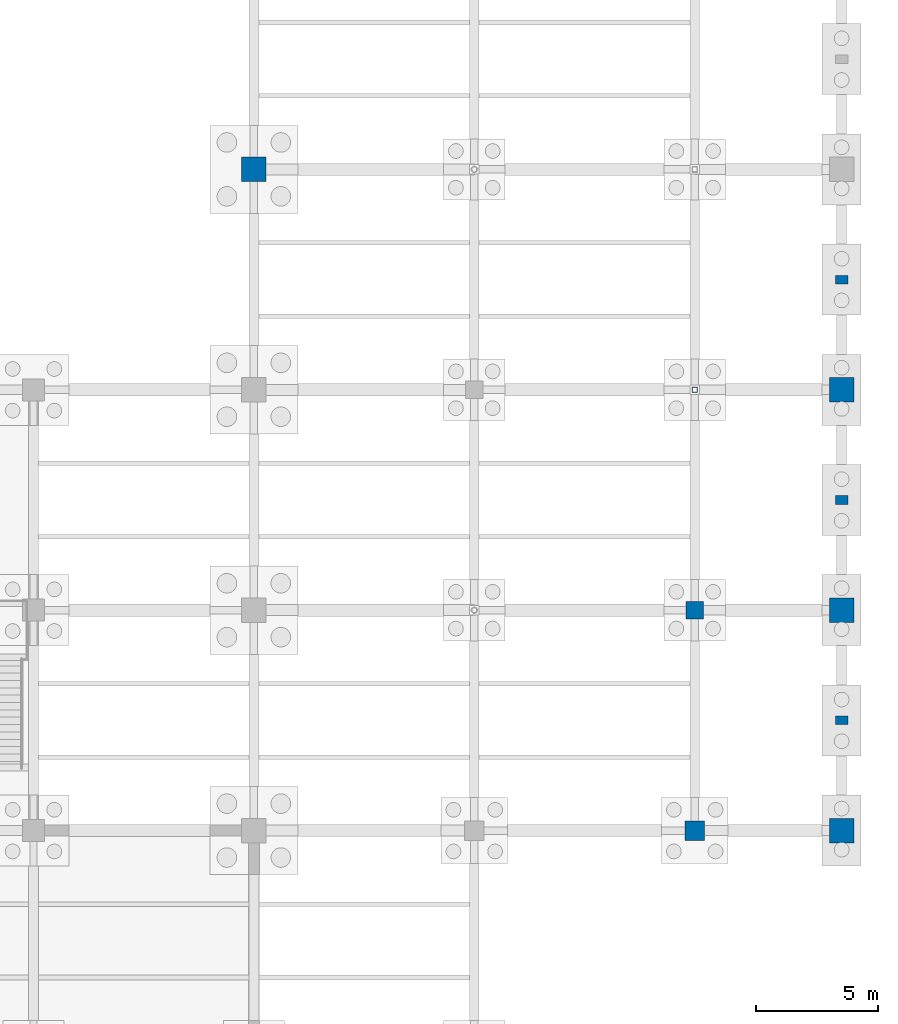
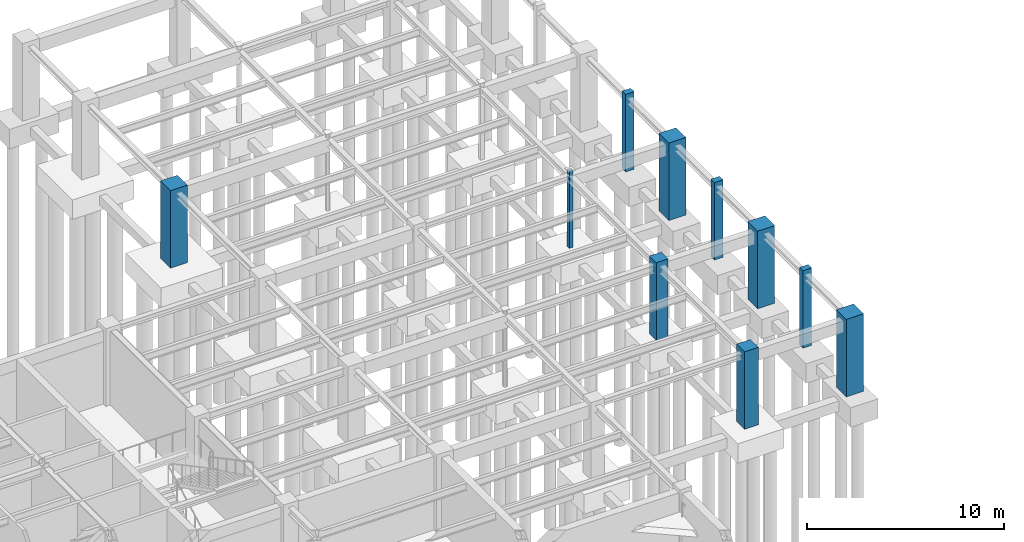
# One storey, part 31 of 49: 10 columns.
"""IFC4 building model written with IfcOpenShell, lengths in metres."""

import ifcopenshell
import ifcopenshell.guid

model = None  # the IFC model being written
_history = None  # IfcOwnerHistory: only IFC2X3 demands one
_inside = {}  # id of a spatial element -> (the spatial element, [elements in it])
_under = {}  # id of a project, library or spatial element -> (it, [spatial elements below it])
_declared = {}  # id of a project -> (the project, [libraries it declares])
_typed = {}  # id of a type object -> (the type object, [elements of that type])
_made_of = {}  # id of a material, layer set ... -> (it, [elements and type objects made of it])


def new_model(schema):
    """Start an empty IFC model of exactly this schema.

    Asked for "IFC4X3", IfcOpenShell would pick the latest addendum, in which some entities
    have other attributes; the version numbers below select the first issue.
    IFC2X3 requires an IfcOwnerHistory on every rooted entity: one is made here for all.
    """
    global model, _history
    if schema == "IFC4X3":
        model = ifcopenshell.file(schema_version=(4, 3, 0, 0))
    else:
        model = ifcopenshell.file(schema=schema)
    _inside.clear()
    _under.clear()
    _declared.clear()
    _typed.clear()
    _made_of.clear()
    _history = None
    if model.schema == "IFC2X3":
        org = make("IfcOrganization", Name="unknown")
        user = make(
            "IfcPersonAndOrganization",
            ThePerson=make("IfcPerson", FamilyName="unknown"),
            TheOrganization=org,
        )
        app = make(
            "IfcApplication",
            ApplicationDeveloper=org,
            Version="unknown",
            ApplicationFullName="unknown",
            ApplicationIdentifier="unknown",
        )
        _history = make(
            "IfcOwnerHistory",
            OwningUser=user,
            OwningApplication=app,
            ChangeAction="ADDED",
            CreationDate=0,
        )
    return model


def make(cls, **values):
    """One entity of the class cls with the attributes given. An attribute that is None is left unset."""
    return model.create_entity(
        cls, **{name: value for name, value in values.items() if value is not None}
    )


def rooted(cls, **values):
    """An entity with a GlobalId (a new one), such as an element, a storey or a relation."""
    return make(cls, GlobalId=ifcopenshell.guid.new(), OwnerHistory=_history, **values)


def si_unit(unit_type, name, prefix=None):
    """IfcSIUnit, for example si_unit("LENGTHUNIT", "METRE", prefix="MILLI")."""
    return make("IfcSIUnit", UnitType=unit_type, Prefix=prefix, Name=name)


def assignment(units):
    """IfcUnitAssignment: the units of a project."""
    return None if units is None else make("IfcUnitAssignment", Units=units)


def point(xyz):
    """IfcCartesianPoint."""
    return None if xyz is None else make("IfcCartesianPoint", Coordinates=xyz)


def direction(xyz):
    """IfcDirection."""
    return None if xyz is None else make("IfcDirection", DirectionRatios=xyz)


def frame(location, z_axis=None, x_axis=None):
    """IfcAxis2Placement3D, a coordinate frame: its origin and axes. An axis left out is left unset."""
    return make(
        "IfcAxis2Placement3D",
        Location=point(location),
        Axis=direction(z_axis),
        RefDirection=direction(x_axis),
    )


def frame_2d(location, x_axis=None):
    """IfcAxis2Placement2D, a coordinate frame in the plane: its origin and x axis."""
    return make(
        "IfcAxis2Placement2D", Location=point(location), RefDirection=direction(x_axis)
    )


def origin():
    """The frame at (0, 0, 0) with its axes left unset."""
    return frame((0.0, 0.0, 0.0))


def origin_2d():
    """The frame at (0, 0) in the plane with its x axis left unset."""
    return frame_2d((0.0, 0.0))


def place(relative_to, where):
    """IfcLocalPlacement: puts the frame where relative to a parent placement (None: the world)."""
    return make(
        "IfcLocalPlacement", PlacementRelTo=relative_to, RelativePlacement=where
    )


def context(
    kind, dimensions, precision=None, world=None, true_north=None, identifier=None
):
    """IfcGeometricRepresentationContext, for example the 3D "Model" context."""
    return make(
        "IfcGeometricRepresentationContext",
        ContextIdentifier=identifier,
        ContextType=kind,
        CoordinateSpaceDimension=dimensions,
        Precision=precision,
        WorldCoordinateSystem=world,
        TrueNorth=true_north,
    )


def subcontext(parent, identifier, kind, view, scale=None):
    """IfcGeometricRepresentationSubContext, for example "Body" below "Model"."""
    return make(
        "IfcGeometricRepresentationSubContext",
        ContextIdentifier=identifier,
        ContextType=kind,
        ParentContext=parent,
        TargetScale=scale,
        TargetView=view,
    )


def project(units=None, contexts=None):
    """IfcProject with its units and contexts."""
    return rooted(
        "IfcProject",
        Name="project",
        RepresentationContexts=contexts,
        UnitsInContext=assignment(units),
    )


def spatial(cls, under=None, at=None, **own):
    """A site, building, storey or space (cls), placed at a placement, below another one or the project."""
    s = rooted(cls, ObjectPlacement=at, **own)
    if under is not None:
        _under.setdefault(under.id(), (under, []))[1].append(s)
    return s


def profile(cls, at=None, kind="AREA", **sizes):
    """A parametric profile (cls). Its sizes go by their IFC names, for example OverallWidth=200.0."""
    return make(cls, ProfileType=kind, Position=at, **sizes)


def rectangle(**sizes):
    """IfcRectangleProfileDef."""
    return profile("IfcRectangleProfileDef", **sizes)


def hollow_rectangle(**sizes):
    """IfcRectangleHollowProfileDef."""
    return profile("IfcRectangleHollowProfileDef", **sizes)


def extrude(swept, where, along, depth):
    """IfcExtrudedAreaSolid: the profile swept, set in the frame where, extruded along a direction by depth."""
    return make(
        "IfcExtrudedAreaSolid",
        SweptArea=swept,
        Position=where,
        ExtrudedDirection=direction(along),
        Depth=depth,
    )


def shape(context_of_items, identifier, shape_type, items):
    """IfcShapeRepresentation: the items that make up one representation, for example the "Body"."""
    return make(
        "IfcShapeRepresentation",
        ContextOfItems=context_of_items,
        RepresentationIdentifier=identifier,
        RepresentationType=shape_type,
        Items=items,
    )


def material(Name=None, Category=None):
    """IfcMaterial."""
    return make("IfcMaterial", Name=Name, Category=Category)


def material_profile(
    of_material, cross_section, Name=None, Category=None, Priority=None
):
    """IfcMaterialProfile: a cross section and its material."""
    return make(
        "IfcMaterialProfile",
        Name=Name,
        Material=of_material,
        Profile=cross_section,
        Priority=Priority,
        Category=Category,
    )


def profile_set(profiles, Name=None, composite=None):
    """IfcMaterialProfileSet."""
    return make(
        "IfcMaterialProfileSet",
        Name=Name,
        MaterialProfiles=profiles,
        CompositeProfile=composite,
    )


def made_of(thing, what):
    """Note that an element or type object is made of a material, layer set ...; save() writes the relation."""
    if what is not None:
        _made_of.setdefault(what.id(), (what, []))[1].append(thing)
    return thing


def type_object(cls, material=None, **own):
    """A type object (cls), such as IfcWallType, which elements share."""
    return made_of(rooted(cls, **own), material)


def element(
    cls,
    number,
    at=None,
    inside=None,
    cuts=None,
    type_object=None,
    material=None,
    context=None,
    identifier="Body",
    shape_type=None,
    held_by="IfcProductDefinitionShape",
    body=None,
    shapes=None,
    **own,
):
    """One element of the class cls, such as IfcWall. Its Tag is "e" and its number.

    at: its placement. inside: the storey or other place that contains it. cuts: it is an
    opening in that element (IfcRelVoidsElement). A single representation is given by context,
    identifier, shape_type and body (its items); several are given by shapes. held_by: the class
    of the entity that holds the representations. save() writes the other relations.
    """
    e = rooted(cls, Tag="e%d" % number, ObjectPlacement=at, **own)
    if body is not None:
        shapes = [shape(context, identifier, shape_type, body)]
    if shapes is not None:
        e.Representation = make(held_by, Representations=shapes)
    if inside is not None:
        _inside.setdefault(inside.id(), (inside, []))[1].append(e)
    if cuts is not None:
        rooted(
            "IfcRelVoidsElement", RelatingBuildingElement=cuts, RelatedOpeningElement=e
        )
    if type_object is not None:
        _typed.setdefault(type_object.id(), (type_object, []))[1].append(e)
    return made_of(e, material)


def aggregate(whole, parts):
    """IfcRelAggregates: a whole, such as a stair, and the parts it consists of."""
    return rooted("IfcRelAggregates", RelatingObject=whole, RelatedObjects=parts)


def save(model, path):
    """Write the relations noted so far, then the file.

    IfcRelAggregates (storeys below a building ...), IfcRelContainedInSpatialStructure (elements
    in a storey), IfcRelDefinesByType, IfcRelAssociatesMaterial and IfcRelDeclares: one each for
    every whole, place, type object, material and project.
    """
    for whole, parts in _under.values():
        aggregate(whole, parts)
    for where, things in _inside.values():
        rooted(
            "IfcRelContainedInSpatialStructure",
            RelatedElements=things,
            RelatingStructure=where,
        )
    for kind, things in _typed.values():
        rooted("IfcRelDefinesByType", RelatedObjects=things, RelatingType=kind)
    for what, things in _made_of.values():
        rooted("IfcRelAssociatesMaterial", RelatedObjects=things, RelatingMaterial=what)
    for by, libraries in _declared.values():
        rooted("IfcRelDeclares", RelatingContext=by, RelatedDefinitions=libraries)
    model.write(path)


model = new_model("IFC4")

# Units and contexts
model_context = context("Model", 3, precision=1e-05, world=origin(), true_north=direction((0.0, 1.0)))
body_context = subcontext(model_context, "Body", "Model", "MODEL_VIEW")
ifc_project = project(units=[si_unit("LENGTHUNIT", "METRE"), si_unit("AREAUNIT", "SQUARE_METRE"), si_unit("VOLUMEUNIT", "CUBIC_METRE"), si_unit("PLANEANGLEUNIT", "RADIAN"), si_unit("MASSUNIT", "GRAM", prefix="KILO")], contexts=[model_context])

# Site, building, storey
site_placement = place(None, origin())
site = spatial("IfcSite", under=ifc_project, at=site_placement, CompositionType="ELEMENT")
building_placement = place(site_placement, origin())
building = spatial("IfcBuilding", under=site, at=building_placement, Name="Lykobir Media Centre", CompositionType="ELEMENT")
storey_placement = place(building_placement, frame((0.0, 0.0, -4.800048828125)))
storey = spatial("IfcBuildingStorey", under=building, at=storey_placement, Name="B1", CompositionType="ELEMENT", Elevation=-4.800048828125)

# Columns
ifc_material_1 = material(Name="Honed Travertine Stone", Category="masonry")
ifc_material_profile_1 = material_profile(ifc_material_1, rectangle(XDim=0.35009765625, YDim=0.5, at=origin_2d()), Name="RC PILASTER 500x350")
ifc_profile_set_1 = profile_set([ifc_material_profile_1], Name="Honed Travertine Stone")
column_type_1 = type_object("IfcColumnType", Name="PIL-500", PredefinedType="PILASTER", material=ifc_profile_set_1)
for number, where, z_axis, x_axis, name in (
    (1, (168.0, 76.5, 0.0), (0.0, 0.0, 1.0), (0.0, 1.0, 0.0), "V2 east pilaster B1 76.5"),
    (2, (168.0, 85.5, 0.0), (0.0, 0.0, 1.0), (0.0, 1.0, 0.0), "V2 east pilaster B1 85.5"),
    (3, (168.0, 94.5, 0.0), (0.0, 0.0, 1.0), (0.0, 1.0, 0.0), "V2 east pilaster B1 94.5"),
):
    element("IfcColumn", number, at=place(storey_placement, frame(where, z_axis=z_axis, x_axis=x_axis)), inside=storey, type_object=column_type_1, Name=name, PredefinedType="PILASTER", context=body_context, shape_type="SweptSolid", body=[
        extrude(rectangle(XDim=0.35009765625, YDim=0.5, at=origin_2d()), origin(), (0.0, 0.0, 1.0), 4.800048828125),
    ])
ifc_material_2 = material(Name="Concrete C40/50", Category="concrete")
ifc_material_profile_2 = material_profile(ifc_material_2, rectangle(XDim=1.0, YDim=1.0, at=origin_2d()), Name="RC 1000x1000")
ifc_profile_set_2 = profile_set([ifc_material_profile_2], Name="Concrete C40/50")
column_type_2 = type_object("IfcColumnType", Name="RC-C1000", PredefinedType="COLUMN", material=ifc_profile_set_2)
column_1_placement = place(storey_placement, frame((144.0, 99.0, 0.0), z_axis=(0.0, 0.0, 1.0), x_axis=(1.0, 0.0, 0.0)))
element("IfcColumn", 4, at=column_1_placement, inside=storey, type_object=column_type_2, Name="Column COL-B1-1440-0990", PredefinedType="COLUMN", context=body_context, shape_type="SweptSolid", body=[
    extrude(rectangle(XDim=1.0, YDim=1.0, at=origin_2d()), origin(), (0.0, 0.0, 1.0), 4.800048828125),
])
ifc_material_profile_3 = material_profile(ifc_material_2, rectangle(XDim=1.0, YDim=1.0, at=origin_2d()), Name="RC 1000x1000")
ifc_profile_set_3 = profile_set([ifc_material_profile_3], Name="Concrete C40/50")
column_type_3 = type_object("IfcColumnType", Name="RC-C1000-E", PredefinedType="COLUMN", material=ifc_profile_set_3)
for number, where, z_axis, x_axis, name in (
    (5, (168.0, 72.0, 0.0), (0.0, 0.0, 1.0), (1.0, 0.0, 0.0), "Column COL-B1-1680-0720"),
    (6, (168.0, 81.0, 0.0), (0.0, 0.0, 1.0), (1.0, 0.0, 0.0), "Column COL-B1-1680-0810"),
    (7, (168.0, 90.0, 0.0), (0.0, 0.0, 1.0), (1.0, 0.0, 0.0), "Column COL-B1-1680-0900"),
):
    element("IfcColumn", number, at=place(storey_placement, frame(where, z_axis=z_axis, x_axis=x_axis)), inside=storey, type_object=column_type_3, Name=name, PredefinedType="COLUMN", context=body_context, shape_type="SweptSolid", body=[
        extrude(rectangle(XDim=1.0, YDim=1.0, at=origin_2d()), origin(), (0.0, 0.0, 1.0), 4.800048828125),
    ])
ifc_material_profile_4 = material_profile(ifc_material_2, rectangle(XDim=0.699951171875, YDim=0.699951171875, at=origin_2d()), Name="RC 700x700")
ifc_profile_set_4 = profile_set([ifc_material_profile_4], Name="Concrete C40/50")
column_type_4 = type_object("IfcColumnType", Name="RC-C700", PredefinedType="COLUMN", material=ifc_profile_set_4)
column_2_placement = place(storey_placement, frame((162.0, 81.0, 0.0), z_axis=(0.0, 0.0, 1.0), x_axis=(1.0, 0.0, 0.0)))
element("IfcColumn", 8, at=column_2_placement, inside=storey, type_object=column_type_4, Name="Column COL-B1-1620-0810", PredefinedType="COLUMN", context=body_context, shape_type="SweptSolid", body=[
    extrude(rectangle(XDim=0.699951171875, YDim=0.699951171875, at=origin_2d()), origin(), (0.0, 0.0, 1.0), 4.800048828125),
])
ifc_material_profile_5 = material_profile(ifc_material_2, rectangle(XDim=0.800048828125, YDim=0.800048828125, at=origin_2d()), Name="RC 800x800")
ifc_profile_set_5 = profile_set([ifc_material_profile_5], Name="Concrete C40/50")
column_type_5 = type_object("IfcColumnType", Name="RC-C800", PredefinedType="COLUMN", material=ifc_profile_set_5)
column_3_placement = place(storey_placement, frame((162.0, 72.0, 0.0), z_axis=(0.0, 0.0, 1.0), x_axis=(1.0, 0.0, 0.0)))
element("IfcColumn", 9, at=column_3_placement, inside=storey, type_object=column_type_5, Name="Column COL-B1-1620-0720", PredefinedType="COLUMN", context=body_context, shape_type="SweptSolid", body=[
    extrude(rectangle(XDim=0.800048828125, YDim=0.800048828125, at=origin_2d()), origin(), (0.0, 0.0, 1.0), 4.800048828125),
])
ifc_material_3 = material(Name="Steel S355", Category="steel")
ifc_material_profile_6 = material_profile(ifc_material_3, hollow_rectangle(XDim=0.219970703125, YDim=0.219970703125, WallThickness=0.012451171875, at=origin_2d()), Name="SHS 220x220x12.5")
ifc_profile_set_6 = profile_set([ifc_material_profile_6], Name="Steel S355")
column_type_6 = type_object("IfcColumnType", Name="SC-SHS220", PredefinedType="COLUMN", material=ifc_profile_set_6)
column_4_placement = place(storey_placement, frame((162.0, 90.0, 0.0), z_axis=(0.0, 0.0, 1.0), x_axis=(1.0, 0.0, 0.0)))
element("IfcColumn", 10, at=column_4_placement, inside=storey, type_object=column_type_6, Name="Column COL-B1-1620-0900", PredefinedType="COLUMN", context=body_context, shape_type="SweptSolid", body=[
    extrude(hollow_rectangle(XDim=0.219970703125, YDim=0.219970703125, WallThickness=0.012451171875, at=origin_2d()), origin(), (0.0, 0.0, 1.0), 4.800048828125),
])

save(model, "model.ifc")
